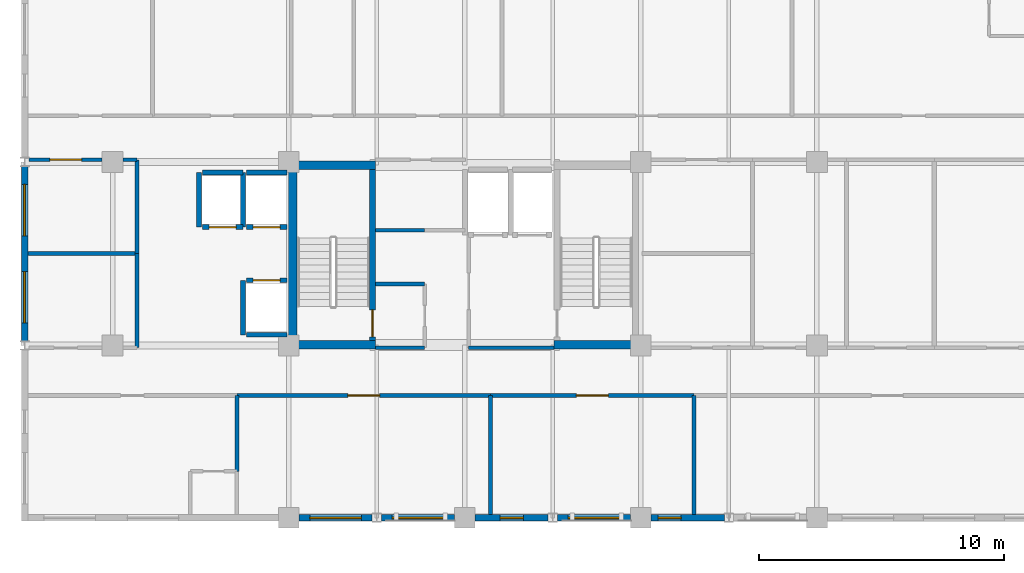
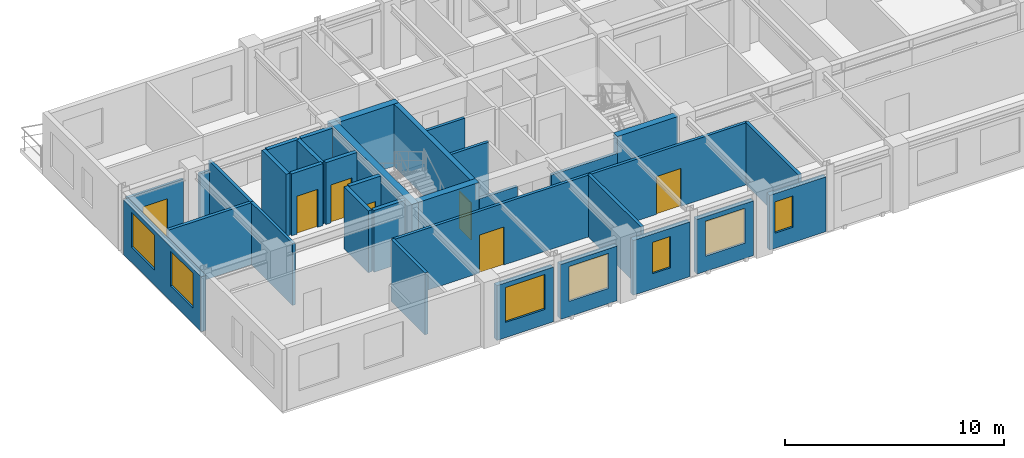
# One storey, part 6 of 11: 34 walls, 7 doors, 7 windows, 14 openings.
"""IFC4 building model written with IfcOpenShell, lengths in metres."""

from ifc_helpers import new_model, si_unit, direction, frame, frame_2d, origin, place, context, subcontext, project, spatial, rectangle, extrude, material, layer, layer_set, type_object, element, fill, save


model = new_model("IFC4")

# Units and contexts
model_context = context("Model", 3, precision=1e-05, world=origin(), true_north=direction((0.0, 1.0)))
body_context = subcontext(model_context, "Body", "Model", "MODEL_VIEW")
ifc_project = project(units=[si_unit("LENGTHUNIT", "METRE"), si_unit("AREAUNIT", "SQUARE_METRE"), si_unit("VOLUMEUNIT", "CUBIC_METRE"), si_unit("PLANEANGLEUNIT", "RADIAN"), si_unit("MASSUNIT", "GRAM", prefix="KILO")], contexts=[model_context])

# Site, building, storey
site_placement = place(None, origin())
site = spatial("IfcSite", under=ifc_project, at=site_placement, CompositionType="ELEMENT")
building_placement = place(site_placement, origin())
building = spatial("IfcBuilding", under=site, at=building_placement, Name="Kaliganga Portal Commons", CompositionType="ELEMENT")
storey_placement = place(building_placement, frame((0.0, 0.0, 257.300048828125)))
storey = spatial("IfcBuildingStorey", under=building, at=storey_placement, Name="L66", CompositionType="ELEMENT", Elevation=257.300048828125)

# Walls
ifc_material_1 = material(Name="Concrete C50/60", Category="concrete")
ifc_layer_1 = layer(ifc_material_1, 0.35009765625)
ifc_layer_set_1 = layer_set([ifc_layer_1], Name="Concrete C50/60")
wall_type_1 = type_object("IfcWallType", Name="WL-CORE-350", PredefinedType="SHEAR", material=ifc_layer_set_1)
wall_1_placement = place(storey_placement, frame((14.574951171875, 28.5, 0.0), z_axis=(0.0, 0.0, 1.0), x_axis=(0.0, 1.0, 0.0)))
element("IfcWall", 1, at=wall_1_placement, inside=storey, type_object=wall_type_1, Name="Core A West Shear Wall L66", PredefinedType="SHEAR", context=body_context, shape_type="SweptSolid", body=[
    extrude(rectangle(XDim=7.699951171875, YDim=0.35009765625, at=frame_2d((3.85009765625, 0.0))), origin(), (0.0, 0.0, 1.0), 3.474853515625),
])
for number, where, z_axis, x_axis, name in (
    (2, (14.75, 28.675048828125, 0.0), (0.0, 0.0, 1.0), (1.0, 0.0, 0.0), "Core A S-West Shear Wall L66"),
    (3, (25.25, 28.675048828125, 0.0), (0.0, 0.0, 1.0), (1.0, 0.0, 0.0), "Core A S-East Shear Wall L66"),
    (4, (14.75, 36.02490234375, 0.0), (0.0, 0.0, 1.0), (1.0, 0.0, 0.0), "Core A N-West Shear Wall L66"),
):
    element("IfcWall", number, at=place(storey_placement, frame(where, z_axis=z_axis, x_axis=x_axis)), inside=storey, type_object=wall_type_1, Name=name, PredefinedType="SHEAR", context=body_context, shape_type="SweptSolid", body=[
        extrude(rectangle(XDim=3.199951171875, YDim=0.35009765625, at=frame_2d((1.60009765625, 0.0))), origin(), (0.0, 0.0, 1.0), 3.474853515625),
    ])

# Wall, opening, window
ifc_material_2 = material(Name="Insulated Aluminium-Clad Spandrel Assembly", Category="aluminium")
ifc_layer_2 = layer(ifc_material_2, 0.260009765625)
ifc_layer_set_2 = layer_set([ifc_layer_2], Name="Insulated Aluminium-Clad Spandrel Assembly")
wall_type_2 = type_object("IfcWallType", Name="WL-EXT-SPAND-260", PredefinedType="STANDARD", material=ifc_layer_set_2)
wall_2_placement = place(storey_placement, frame((17.81201171875, 21.60009765625, 0.0), z_axis=(0.0, 0.0, 1.0), x_axis=(-1.0, 0.0, 0.0)))
wall_2 = element("IfcWall", 5, at=wall_2_placement, inside=storey, type_object=wall_type_2, Name="Exterior Envelope Wall L66 P1-E00-S2", PredefinedType="STANDARD", context=body_context, shape_type="SweptSolid", body=[
    extrude(rectangle(XDim=2.986083984375, YDim=0.260009765625, at=frame_2d((1.4931640625, 0.0))), origin(), (0.0, 0.0, 1.0), 3.054931640625),
])
opening_1_placement = place(wall_2_placement, frame((0.443115234375, 0.0, 0.85009765625)))
opening_1 = element("IfcOpeningElement", 6, at=opening_1_placement, cuts=wall_2, Name="Opening W-06", PredefinedType="OPENING", context=body_context, shape_type="SweptSolid", body=[
    extrude(rectangle(XDim=2.10009765625, YDim=1.949951171875, at=frame_2d((1.050048828125, 0.97509765625))), frame((0.0, 0.14013671875, 0.0), z_axis=(0.0, -1.0, 0.0), x_axis=(1.0, 0.0, 0.0)), (0.0, 0.0, 1.0), 0.280029296875),
])
ifc_material_3 = material(Name="Thermally Broken Aluminium and Low-E Double Glazing", Category="aluminium")
window_type_1 = type_object("IfcWindowType", Name="WIN-PAN-2100", PartitioningType="DOUBLE_PANEL_VERTICAL", PredefinedType="WINDOW", material=ifc_material_3)
window_1_placement = place(opening_1_placement, origin())
window_1 = element("IfcWindow", 7, at=window_1_placement, inside=storey, type_object=window_type_1, Name="Facade Window L66-P1E00S2-00", OverallHeight=1.949951171875, OverallWidth=2.10009765625, PartitioningType="SINGLE_PANEL", PredefinedType="WINDOW", context=body_context, shape_type="SweptSolid", body=[
    extrude(rectangle(XDim=2.10009765625, YDim=1.949951171875, at=frame_2d((1.050048828125, 0.97509765625))), frame((0.0, 0.030029296875, 0.0), z_axis=(0.0, -1.0, 0.0), x_axis=(1.0, 0.0, 0.0)), (0.0, 0.0, 1.0), 0.06005859375),
])
fill(opening_1, window_1)

wall_3_placement = place(storey_placement, frame((21.174072265625, 21.60009765625, 0.0), z_axis=(0.0, 0.0, 1.0), x_axis=(-1.0, 0.0, 0.0)))
wall_3 = element("IfcWall", 8, at=wall_3_placement, inside=storey, type_object=wall_type_2, Name="Exterior Envelope Wall L66 P1-E00-S3", PredefinedType="STANDARD", context=body_context, shape_type="SweptSolid", body=[
    extrude(rectangle(XDim=2.986083984375, YDim=0.260009765625, at=frame_2d((1.4931640625, 0.0))), origin(), (0.0, 0.0, 1.0), 3.054931640625),
])
opening_2_placement = place(wall_3_placement, frame((0.443115234375, 0.0, 0.85009765625)))
opening_2 = element("IfcOpeningElement", 9, at=opening_2_placement, cuts=wall_3, Name="Opening W-06", PredefinedType="OPENING", context=body_context, shape_type="SweptSolid", body=[
    extrude(rectangle(XDim=2.10009765625, YDim=1.949951171875, at=frame_2d((1.050048828125, 0.97509765625))), frame((0.0, 0.14013671875, 0.0), z_axis=(0.0, -1.0, 0.0), x_axis=(1.0, 0.0, 0.0)), (0.0, 0.0, 1.0), 0.280029296875),
])
window_2_placement = place(opening_2_placement, origin())
window_2 = element("IfcWindow", 10, at=window_2_placement, inside=storey, type_object=window_type_1, Name="Facade Window L66-P1E00S3-00", OverallHeight=1.949951171875, OverallWidth=2.10009765625, PartitioningType="SINGLE_PANEL", PredefinedType="WINDOW", context=body_context, shape_type="SweptSolid", body=[
    extrude(rectangle(XDim=2.10009765625, YDim=1.949951171875, at=frame_2d((1.050048828125, 0.97509765625))), frame((0.0, 0.030029296875, 0.0), z_axis=(0.0, -1.0, 0.0), x_axis=(1.0, 0.0, 0.0)), (0.0, 0.0, 1.0), 0.06005859375),
])
fill(opening_2, window_2)

wall_4_placement = place(storey_placement, frame((25.011962890625, 21.60009765625, 0.0), z_axis=(0.0, 0.0, 1.0), x_axis=(-1.0, 0.0, 0.0)))
wall_4 = element("IfcWall", 11, at=wall_4_placement, inside=storey, type_object=wall_type_2, Name="Exterior Envelope Wall L66 P1-E00-S4", PredefinedType="STANDARD", context=body_context, shape_type="SweptSolid", body=[
    extrude(rectangle(XDim=2.986083984375, YDim=0.260009765625, at=frame_2d((1.4931640625, 0.0))), origin(), (0.0, 0.0, 1.0), 3.054931640625),
])
opening_3_placement = place(wall_4_placement, frame((1.01806640625, 0.0, 0.85009765625)))
opening_3 = element("IfcOpeningElement", 12, at=opening_3_placement, cuts=wall_4, Name="Opening W-04", PredefinedType="OPENING", context=body_context, shape_type="SweptSolid", body=[
    extrude(rectangle(XDim=0.949951171875, YDim=1.75, at=frame_2d((0.47509765625, 0.875))), frame((0.0, 0.14013671875, 0.0), z_axis=(0.0, -1.0, 0.0), x_axis=(1.0, 0.0, 0.0)), (0.0, 0.0, 1.0), 0.280029296875),
])
window_type_2 = type_object("IfcWindowType", Name="WIN-NARROW-950", PartitioningType="SINGLE_PANEL", PredefinedType="WINDOW", material=ifc_material_3)
window_3_placement = place(opening_3_placement, origin())
window_3 = element("IfcWindow", 13, at=window_3_placement, inside=storey, type_object=window_type_2, Name="Facade Window L66-P1E00S4-N0", OverallHeight=1.75, OverallWidth=0.949951171875, PartitioningType="SINGLE_PANEL", PredefinedType="WINDOW", context=body_context, shape_type="SweptSolid", body=[
    extrude(rectangle(XDim=0.949951171875, YDim=1.75, at=frame_2d((0.47509765625, 0.875))), frame((0.0, 0.030029296875, 0.0), z_axis=(0.0, -1.0, 0.0), x_axis=(1.0, 0.0, 0.0)), (0.0, 0.0, 1.0), 0.06005859375),
])
fill(opening_3, window_3)

wall_5_placement = place(storey_placement, frame((28.3740234375, 21.60009765625, 0.0), z_axis=(0.0, 0.0, 1.0), x_axis=(-1.0, 0.0, 0.0)))
wall_5 = element("IfcWall", 14, at=wall_5_placement, inside=storey, type_object=wall_type_2, Name="Exterior Envelope Wall L66 P1-E00-S5", PredefinedType="STANDARD", context=body_context, shape_type="SweptSolid", body=[
    extrude(rectangle(XDim=2.986083984375, YDim=0.260009765625, at=frame_2d((1.4931640625, 0.0))), origin(), (0.0, 0.0, 1.0), 3.054931640625),
])
opening_4_placement = place(wall_5_placement, frame((0.443115234375, 0.0, 0.85009765625)))
opening_4 = element("IfcOpeningElement", 15, at=opening_4_placement, cuts=wall_5, Name="Opening W-06", PredefinedType="OPENING", context=body_context, shape_type="SweptSolid", body=[
    extrude(rectangle(XDim=2.10009765625, YDim=1.949951171875, at=frame_2d((1.050048828125, 0.97509765625))), frame((0.0, 0.14013671875, 0.0), z_axis=(0.0, -1.0, 0.0), x_axis=(1.0, 0.0, 0.0)), (0.0, 0.0, 1.0), 0.280029296875),
])
window_4_placement = place(opening_4_placement, origin())
window_4 = element("IfcWindow", 16, at=window_4_placement, inside=storey, type_object=window_type_1, Name="Facade Window L66-P1E00S5-00", OverallHeight=1.949951171875, OverallWidth=2.10009765625, PartitioningType="SINGLE_PANEL", PredefinedType="WINDOW", context=body_context, shape_type="SweptSolid", body=[
    extrude(rectangle(XDim=2.10009765625, YDim=1.949951171875, at=frame_2d((1.050048828125, 0.97509765625))), frame((0.0, 0.030029296875, 0.0), z_axis=(0.0, -1.0, 0.0), x_axis=(1.0, 0.0, 0.0)), (0.0, 0.0, 1.0), 0.06005859375),
])
fill(opening_4, window_4)

wall_6_placement = place(storey_placement, frame((32.2119140625, 21.60009765625, 0.0), z_axis=(0.0, 0.0, 1.0), x_axis=(-1.0, 0.0, 0.0)))
wall_6 = element("IfcWall", 17, at=wall_6_placement, inside=storey, type_object=wall_type_2, Name="Exterior Envelope Wall L66 P1-E00-S6", PredefinedType="STANDARD", context=body_context, shape_type="SweptSolid", body=[
    extrude(rectangle(XDim=2.98583984375, YDim=0.260009765625, at=frame_2d((1.492919921875, 0.0))), origin(), (0.0, 0.0, 1.0), 3.054931640625),
])
opening_5_placement = place(wall_6_placement, frame((1.758544921875, 0.0, 0.85009765625)))
opening_5 = element("IfcOpeningElement", 18, at=opening_5_placement, cuts=wall_6, Name="Opening W-04", PredefinedType="OPENING", context=body_context, shape_type="SweptSolid", body=[
    extrude(rectangle(XDim=0.949951171875, YDim=1.75, at=frame_2d((0.47509765625, 0.875))), frame((0.0, 0.14013671875, 0.0), z_axis=(0.0, -1.0, 0.0), x_axis=(1.0, 0.0, 0.0)), (0.0, 0.0, 1.0), 0.280029296875),
])
window_5_placement = place(opening_5_placement, origin())
window_5 = element("IfcWindow", 19, at=window_5_placement, inside=storey, type_object=window_type_2, Name="Facade Window L66-P1E00S6-N2", OverallHeight=1.75, OverallWidth=0.949951171875, PartitioningType="SINGLE_PANEL", PredefinedType="WINDOW", context=body_context, shape_type="SweptSolid", body=[
    extrude(rectangle(XDim=0.949951171875, YDim=1.75, at=frame_2d((0.47509765625, 0.875))), frame((0.0, 0.030029296875, 0.0), z_axis=(0.0, -1.0, 0.0), x_axis=(1.0, 0.0, 0.0)), (0.0, 0.0, 1.0), 0.06005859375),
])
fill(opening_5, window_5)

# Wall, openings, windows
wall_7_placement = place(storey_placement, frame((3.60009765625, 28.8369140625, 0.0), z_axis=(0.0, 0.0, 1.0), x_axis=(0.0, 1.0, 0.0)))
wall_7 = element("IfcWall", 20, at=wall_7_placement, inside=storey, type_object=wall_type_2, Name="Exterior Envelope Wall L66 P1-E03-S2", PredefinedType="STANDARD", context=body_context, shape_type="SweptSolid", body=[
    extrude(rectangle(XDim=7.1259765625, YDim=0.260009765625, at=frame_2d((3.56298828125, 0.0))), origin(), (0.0, 0.0, 1.0), 3.054931640625),
])
opening_6_placement = place(wall_7_placement, frame((0.7314453125, 0.0, 0.85009765625)))
opening_6 = element("IfcOpeningElement", 21, at=opening_6_placement, cuts=wall_7, Name="Opening W-06", PredefinedType="OPENING", context=body_context, shape_type="SweptSolid", body=[
    extrude(rectangle(XDim=2.10009765625, YDim=1.949951171875, at=frame_2d((1.050048828125, 0.97509765625))), frame((0.0, 0.14013671875, 0.0), z_axis=(0.0, -1.0, 0.0), x_axis=(1.0, 0.0, 0.0)), (0.0, 0.0, 1.0), 0.280029296875),
])
opening_7_placement = place(wall_7_placement, frame((4.29443359375, 0.0, 0.85009765625)))
opening_7 = element("IfcOpeningElement", 22, at=opening_7_placement, cuts=wall_7, Name="Opening W-06", PredefinedType="OPENING", context=body_context, shape_type="SweptSolid", body=[
    extrude(rectangle(XDim=2.10009765625, YDim=1.949951171875, at=frame_2d((1.050048828125, 0.97509765625))), frame((0.0, 0.14013671875, 0.0), z_axis=(0.0, -1.0, 0.0), x_axis=(1.0, 0.0, 0.0)), (0.0, 0.0, 1.0), 0.280029296875),
])
window_6_placement = place(opening_6_placement, origin())
window_6 = element("IfcWindow", 23, at=window_6_placement, inside=storey, type_object=window_type_1, Name="Facade Window L66-P1E03S2-00", OverallHeight=1.949951171875, OverallWidth=2.10009765625, PartitioningType="SINGLE_PANEL", PredefinedType="WINDOW", context=body_context, shape_type="SweptSolid", body=[
    extrude(rectangle(XDim=2.10009765625, YDim=1.949951171875, at=frame_2d((1.050048828125, 0.97509765625))), frame((0.0, 0.030029296875, 0.0), z_axis=(0.0, -1.0, 0.0), x_axis=(1.0, 0.0, 0.0)), (0.0, 0.0, 1.0), 0.06005859375),
])
fill(opening_6, window_6)
window_7_placement = place(opening_7_placement, origin())
window_7 = element("IfcWindow", 24, at=window_7_placement, inside=storey, type_object=window_type_1, Name="Facade Window L66-P1E03S2-01", OverallHeight=1.949951171875, OverallWidth=2.10009765625, PartitioningType="SINGLE_PANEL", PredefinedType="WINDOW", context=body_context, shape_type="SweptSolid", body=[
    extrude(rectangle(XDim=2.10009765625, YDim=1.949951171875, at=frame_2d((1.050048828125, 0.97509765625))), frame((0.0, 0.030029296875, 0.0), z_axis=(0.0, -1.0, 0.0), x_axis=(1.0, 0.0, 0.0)), (0.0, 0.0, 1.0), 0.06005859375),
])
fill(opening_7, window_7)

# Wall, opening, door
ifc_material_4 = material(Name="Fire-Rated Gypsum Board on Steel Stud", Category="steel")
ifc_layer_3 = layer(ifc_material_4, 0.14990234375)
ifc_layer_set_3 = layer_set([ifc_layer_3], Name="Fire-Rated Gypsum Board on Steel Stud")
wall_type_3 = type_object("IfcWallType", Name="WL-PART-CORR-150", PredefinedType="PARTITIONING", material=ifc_layer_set_3)
wall_8_placement = place(storey_placement, frame((12.280029296875, 26.60009765625, 0.0), z_axis=(0.0, 0.0, 1.0), x_axis=(1.0, 0.0, 0.0)))
wall_8 = element("IfcWall", 25, at=wall_8_placement, inside=storey, type_object=wall_type_3, Name="Interior Partition L66-009", PredefinedType="PARTITIONING", context=body_context, shape_type="SweptSolid", body=[
    extrude(rectangle(XDim=10.3798828125, YDim=0.14990234375, at=frame_2d((5.18994140625, 0.0))), origin(), (0.0, 0.0, 1.0), 3.454833984375),
])
opening_8_placement = place(wall_8_placement, frame((4.5400390625, 0.0, 0.0)))
opening_8 = element("IfcOpeningElement", 26, at=opening_8_placement, cuts=wall_8, Name="Opening RD-03", PredefinedType="OPENING", context=body_context, shape_type="SweptSolid", body=[
    extrude(rectangle(XDim=1.300048828125, YDim=2.1201171875, at=frame_2d((0.64990234375, 1.06005859375))), frame((0.0, 0.0849609375, 0.0), z_axis=(0.0, -1.0, 0.0), x_axis=(1.0, 0.0, 0.0)), (0.0, 0.0, 1.0), 0.169921875),
])
ifc_material_5 = material(Name="Glazed Timber Seminar Vision Door", Category="wood")
door_type_1 = type_object("IfcDoorType", Name="DR-STUDY-1300", OperationType="DOUBLE_DOOR_SINGLE_SWING", PredefinedType="DOOR", material=ifc_material_5)
door_1_placement = place(opening_8_placement, origin())
door_1 = element("IfcDoor", 27, at=door_1_placement, inside=storey, type_object=door_type_1, Name="Interior Door L66-AS02", OperationType="DOUBLE_DOOR_SINGLE_SWING", OverallHeight=2.1201171875, OverallWidth=1.300048828125, PredefinedType="DOOR", context=body_context, shape_type="SweptSolid", body=[
    extrude(rectangle(XDim=1.300048828125, YDim=2.1201171875, at=frame_2d((0.64990234375, 1.06005859375))), frame((0.0, 0.02490234375, 0.0), z_axis=(0.0, -1.0, 0.0), x_axis=(1.0, 0.0, 0.0)), (0.0, 0.0, 1.0), 0.050048828125),
])
fill(opening_8, door_1)

wall_9_placement = place(storey_placement, frame((22.659912109375, 26.60009765625, 0.0), z_axis=(0.0, 0.0, 1.0), x_axis=(1.0, 0.0, 0.0)))
wall_9 = element("IfcWall", 28, at=wall_9_placement, inside=storey, type_object=wall_type_3, Name="Interior Partition L66-012", PredefinedType="PARTITIONING", context=body_context, shape_type="SweptSolid", body=[
    extrude(rectangle(XDim=8.320068359375, YDim=0.14990234375, at=frame_2d((4.16015625, 0.0))), origin(), (0.0, 0.0, 1.0), 3.454833984375),
])
opening_9_placement = place(wall_9_placement, frame((3.510009765625, 0.0, 0.0)))
opening_9 = element("IfcOpeningElement", 29, at=opening_9_placement, cuts=wall_9, Name="Opening RD-03", PredefinedType="OPENING", context=body_context, shape_type="SweptSolid", body=[
    extrude(rectangle(XDim=1.300048828125, YDim=2.1201171875, at=frame_2d((0.64990234375, 1.06005859375))), frame((0.0, 0.0849609375, 0.0), z_axis=(0.0, -1.0, 0.0), x_axis=(1.0, 0.0, 0.0)), (0.0, 0.0, 1.0), 0.169921875),
])
door_2_placement = place(opening_9_placement, origin())
door_2 = element("IfcDoor", 30, at=door_2_placement, inside=storey, type_object=door_type_1, Name="Interior Door L66-AS03", OperationType="DOUBLE_DOOR_SINGLE_SWING", OverallHeight=2.1201171875, OverallWidth=1.300048828125, PredefinedType="DOOR", context=body_context, shape_type="SweptSolid", body=[
    extrude(rectangle(XDim=1.300048828125, YDim=2.1201171875, at=frame_2d((0.64990234375, 1.06005859375))), frame((0.0, 0.02490234375, 0.0), z_axis=(0.0, -1.0, 0.0), x_axis=(1.0, 0.0, 0.0)), (0.0, 0.0, 1.0), 0.050048828125),
])
fill(opening_9, door_2)

wall_10_placement = place(storey_placement, frame((3.787109375, 36.239990234375, 0.0), z_axis=(0.0, 0.0, 1.0), x_axis=(1.0, 0.0, 0.0)))
wall_10 = element("IfcWall", 31, at=wall_10_placement, inside=storey, type_object=wall_type_3, Name="Interior Partition L66-020", PredefinedType="PARTITIONING", context=body_context, shape_type="SweptSolid", body=[
    extrude(rectangle(XDim=2.98779296875, YDim=0.14990234375, at=frame_2d((1.493896484375, 0.0))), origin(), (0.0, 0.0, 1.0), 2.905029296875),
])
opening_10_placement = place(wall_10_placement, frame((0.843994140625, 0.0, 0.0)))
opening_10 = element("IfcOpeningElement", 32, at=opening_10_placement, cuts=wall_10, Name="Opening RD-03", PredefinedType="OPENING", context=body_context, shape_type="SweptSolid", body=[
    extrude(rectangle(XDim=1.300048828125, YDim=2.1201171875, at=frame_2d((0.64990234375, 1.06005859375))), frame((0.0, 0.0849609375, 0.0), z_axis=(0.0, -1.0, 0.0), x_axis=(1.0, 0.0, 0.0)), (0.0, 0.0, 1.0), 0.169921875),
])
door_3_placement = place(opening_10_placement, origin())
door_3 = element("IfcDoor", 33, at=door_3_placement, inside=storey, type_object=door_type_1, Name="Interior Door L66-AW02", OperationType="DOUBLE_DOOR_SINGLE_SWING", OverallHeight=2.1201171875, OverallWidth=1.300048828125, PredefinedType="DOOR", context=body_context, shape_type="SweptSolid", body=[
    extrude(rectangle(XDim=1.300048828125, YDim=2.1201171875, at=frame_2d((0.64990234375, 1.06005859375))), frame((0.0, 0.02490234375, 0.0), z_axis=(0.0, -1.0, 0.0), x_axis=(1.0, 0.0, 0.0)), (0.0, 0.0, 1.0), 0.050048828125),
])
fill(opening_10, door_3)

# Walls
wall_11_placement = place(storey_placement, frame((7.625, 36.239990234375, 0.0), z_axis=(0.0, 0.0, 1.0), x_axis=(1.0, 0.0, 0.0)))
element("IfcWall", 34, at=wall_11_placement, inside=storey, type_object=wall_type_3, Name="Interior Partition L66-021", PredefinedType="PARTITIONING", context=body_context, shape_type="SweptSolid", body=[
    extrude(rectangle(XDim=0.574951171875, YDim=0.14990234375, at=frame_2d((0.28759765625, 0.0))), origin(), (0.0, 0.0, 1.0), 2.905029296875),
])
wall_12_placement = place(storey_placement, frame((8.199951171875, 32.39990234375, 0.0), z_axis=(0.0, 0.0, 1.0), x_axis=(0.0, 1.0, 0.0)))
element("IfcWall", 35, at=wall_12_placement, inside=storey, type_object=wall_type_3, Name="Interior Partition L66-028", PredefinedType="PARTITIONING", context=body_context, shape_type="SweptSolid", body=[
    extrude(rectangle(XDim=3.840087890625, YDim=0.14990234375, at=frame_2d((1.919921875, 0.0))), origin(), (0.0, 0.0, 1.0), 3.454833984375),
])
wall_13_placement = place(storey_placement, frame((8.199951171875, 28.56005859375, 0.0), z_axis=(0.0, 0.0, 1.0), x_axis=(0.0, 1.0, 0.0)))
element("IfcWall", 36, at=wall_13_placement, inside=storey, type_object=wall_type_3, Name="Interior Partition L66-029", PredefinedType="PARTITIONING", context=body_context, shape_type="SweptSolid", body=[
    extrude(rectangle(XDim=3.83984375, YDim=0.14990234375, at=frame_2d((1.919921875, 0.0))), origin(), (0.0, 0.0, 1.0), 3.454833984375),
])
wall_14_placement = place(storey_placement, frame((17.9599609375, 28.56005859375, 0.0), z_axis=(0.0, 0.0, 1.0), x_axis=(1.0, 0.0, 0.0)))
element("IfcWall", 37, at=wall_14_placement, inside=storey, type_object=wall_type_3, Name="Interior Partition L66-035", PredefinedType="PARTITIONING", context=body_context, shape_type="SweptSolid", body=[
    extrude(rectangle(XDim=2.0, YDim=0.14990234375, at=frame_2d((1.0, 0.0))), origin(), (0.0, 0.0, 1.0), 2.554931640625),
])
for number, where, z_axis, x_axis, name in (
    (38, (17.9599609375, 31.159912109375, 0.0), (0.0, 0.0, 1.0), (1.0, 0.0, 0.0), "Interior Partition L66-036"),
    (39, (17.9599609375, 33.360107421875, 0.0), (0.0, 0.0, 1.0), (1.0, 0.0, 0.0), "Interior Partition L66-037"),
):
    element("IfcWall", number, at=place(storey_placement, frame(where, z_axis=z_axis, x_axis=x_axis)), inside=storey, type_object=wall_type_3, Name=name, PredefinedType="PARTITIONING", context=body_context, shape_type="SweptSolid", body=[
        extrude(rectangle(XDim=2.0, YDim=0.14990234375, at=frame_2d((1.0, 0.0))), origin(), (0.0, 0.0, 1.0), 3.454833984375),
    ])
wall_15_placement = place(storey_placement, frame((21.760009765625, 28.56005859375, 0.0), z_axis=(0.0, 0.0, 1.0), x_axis=(1.0, 0.0, 0.0)))
element("IfcWall", 40, at=wall_15_placement, inside=storey, type_object=wall_type_3, Name="Interior Partition L66-054", PredefinedType="PARTITIONING", context=body_context, shape_type="SweptSolid", body=[
    extrude(rectangle(XDim=3.47998046875, YDim=0.14990234375, at=frame_2d((1.739990234375, 0.0))), origin(), (0.0, 0.0, 1.0), 2.554931640625),
])
ifc_material_6 = material(Name="Twin-Stud Acoustic Gypsum Partition", Category="gypsum")
ifc_layer_4 = layer(ifc_material_6, 0.1650390625)
ifc_layer_set_4 = layer_set([ifc_layer_4], Name="Twin-Stud Acoustic Gypsum Partition")
wall_type_4 = type_object("IfcWallType", Name="WL-PART-UNIT-165", PredefinedType="PARTITIONING", material=ifc_layer_set_4)
for number, where, z_axis, x_axis, name in (
    (41, (22.659912109375, 21.73193359375, 0.0), (0.0, 0.0, 1.0), (0.0, 1.0, 0.0), "Interior Partition L66-047"),
    (42, (30.97998046875, 21.73193359375, 0.0), (0.0, 0.0, 1.0), (0.0, 1.0, 0.0), "Interior Partition L66-048"),
):
    element("IfcWall", number, at=place(storey_placement, frame(where, z_axis=z_axis, x_axis=x_axis)), inside=storey, type_object=wall_type_4, Name=name, PredefinedType="PARTITIONING", context=body_context, shape_type="SweptSolid", body=[
        extrude(rectangle(XDim=4.8681640625, YDim=0.1650390625, at=frame_2d((2.43408203125, 0.0))), origin(), (0.0, 0.0, 1.0), 3.454833984375),
    ])
wall_16_placement = place(storey_placement, frame((3.73193359375, 32.39990234375, 0.0), z_axis=(0.0, 0.0, 1.0), x_axis=(1.0, 0.0, 0.0)))
element("IfcWall", 43, at=wall_16_placement, inside=storey, type_object=wall_type_4, Name="Interior Partition L66-049", PredefinedType="PARTITIONING", context=body_context, shape_type="SweptSolid", body=[
    extrude(rectangle(XDim=4.468017578125, YDim=0.1650390625, at=frame_2d((2.23388671875, 0.0))), origin(), (0.0, 0.0, 1.0), 3.454833984375),
])
wall_17_placement = place(storey_placement, frame((12.280029296875, 23.5, 0.0), z_axis=(0.0, 0.0, 1.0), x_axis=(0.0, 1.0, 0.0)))
element("IfcWall", 44, at=wall_17_placement, inside=storey, type_object=wall_type_4, Name="Interior Partition L66-056", PredefinedType="PARTITIONING", context=body_context, shape_type="SweptSolid", body=[
    extrude(rectangle(XDim=3.10009765625, YDim=0.1650390625, at=frame_2d((1.550048828125, 0.0))), origin(), (0.0, 0.0, 1.0), 3.454833984375),
])

# Wall, opening, door
ifc_material_7 = material(Name="Fire-Rated Shaftwall Masonry Assembly", Category="masonry")
ifc_layer_5 = layer(ifc_material_7, 0.199951171875)
ifc_layer_set_5 = layer_set([ifc_layer_5], Name="Fire-Rated Shaftwall Masonry Assembly")
wall_type_5 = type_object("IfcWallType", Name="WL-SHAFT-200", PredefinedType="PARTITIONING", material=ifc_layer_set_5)
wall_18_placement = place(storey_placement, frame((12.675048828125, 33.485107421875, 0.0), z_axis=(0.0, 0.0, 1.0), x_axis=(1.0, 0.0, 0.0)))
wall_18 = element("IfcWall", 45, at=wall_18_placement, inside=storey, type_object=wall_type_5, Name="Lift PL-A3 Hoistway Shaft Wall L66-S", PredefinedType="PARTITIONING", context=body_context, shape_type="SweptSolid", body=[
    extrude(rectangle(XDim=1.64990234375, YDim=0.199951171875, at=frame_2d((0.824951171875, 0.0))), origin(), (0.0, 0.0, 1.0), 3.454833984375),
])
opening_11_placement = place(wall_18_placement, frame((0.27490234375, 0.0, 0.0)))
opening_11 = element("IfcOpeningElement", 46, at=opening_11_placement, cuts=wall_18, Name="Opening LD-01", PredefinedType="OPENING", context=body_context, shape_type="SweptSolid", body=[
    extrude(rectangle(XDim=1.10009765625, YDim=2.1201171875, at=frame_2d((0.550048828125, 1.06005859375))), frame((0.0, 0.10986328125, 0.0), z_axis=(0.0, -1.0, 0.0), x_axis=(1.0, 0.0, 0.0)), (0.0, 0.0, 1.0), 0.219970703125),
])
ifc_material_8 = material(Name="Brushed Stainless Steel 316 Lift Landing Door", Category="steel")
door_type_2 = type_object("IfcDoorType", Name="DR-LIFT-1100", OperationType="SLIDING_TO_LEFT", PredefinedType="DOOR", material=ifc_material_8)
door_4_placement = place(opening_11_placement, origin())
door_4 = element("IfcDoor", 47, at=door_4_placement, inside=storey, type_object=door_type_2, Name="Lift PL-A3 Sliding Landing Door L66", OperationType="SLIDING_TO_LEFT", OverallHeight=2.1201171875, OverallWidth=1.10009765625, PredefinedType="DOOR", context=body_context, shape_type="SweptSolid", body=[
    extrude(rectangle(XDim=1.10009765625, YDim=2.1201171875, at=frame_2d((0.550048828125, 1.06005859375))), frame((0.0, 0.02490234375, 0.0), z_axis=(0.0, -1.0, 0.0), x_axis=(1.0, 0.0, 0.0)), (0.0, 0.0, 1.0), 0.050048828125),
])
fill(opening_11, door_4)

# Walls
wall_19_placement = place(storey_placement, frame((12.675048828125, 35.715087890625, 0.0), z_axis=(0.0, 0.0, 1.0), x_axis=(1.0, 0.0, 0.0)))
element("IfcWall", 48, at=wall_19_placement, inside=storey, type_object=wall_type_5, Name="Lift PL-A3 Hoistway Shaft Wall L66-N", PredefinedType="PARTITIONING", context=body_context, shape_type="SweptSolid", body=[
    extrude(rectangle(XDim=1.64990234375, YDim=0.199951171875, at=frame_2d((0.824951171875, 0.0))), origin(), (0.0, 0.0, 1.0), 3.454833984375),
])
wall_20_placement = place(storey_placement, frame((12.534912109375, 33.485107421875, 0.0), z_axis=(0.0, 0.0, 1.0), x_axis=(0.0, 1.0, 0.0)))
element("IfcWall", 49, at=wall_20_placement, inside=storey, type_object=wall_type_5, Name="Lift PL-A3 Hoistway Shaft Wall L66-W", PredefinedType="PARTITIONING", context=body_context, shape_type="SweptSolid", body=[
    extrude(rectangle(XDim=2.22998046875, YDim=0.199951171875, at=frame_2d((1.114990234375, 0.0))), origin(), (0.0, 0.0, 1.0), 3.454833984375),
])
wall_21_placement = place(storey_placement, frame((12.675048828125, 29.0849609375, 0.0), z_axis=(0.0, 0.0, 1.0), x_axis=(1.0, 0.0, 0.0)))
element("IfcWall", 50, at=wall_21_placement, inside=storey, type_object=wall_type_5, Name="Lift PL-A4 Hoistway Shaft Wall L66-S", PredefinedType="PARTITIONING", context=body_context, shape_type="SweptSolid", body=[
    extrude(rectangle(XDim=1.64990234375, YDim=0.199951171875, at=frame_2d((0.824951171875, 0.0))), origin(), (0.0, 0.0, 1.0), 3.454833984375),
])

# Wall, opening, door
wall_22_placement = place(storey_placement, frame((12.675048828125, 31.31494140625, 0.0), z_axis=(0.0, 0.0, 1.0), x_axis=(1.0, 0.0, 0.0)))
wall_22 = element("IfcWall", 51, at=wall_22_placement, inside=storey, type_object=wall_type_5, Name="Lift PL-A4 Hoistway Shaft Wall L66-N", PredefinedType="PARTITIONING", context=body_context, shape_type="SweptSolid", body=[
    extrude(rectangle(XDim=1.64990234375, YDim=0.199951171875, at=frame_2d((0.824951171875, 0.0))), origin(), (0.0, 0.0, 1.0), 3.454833984375),
])
opening_12_placement = place(wall_22_placement, frame((0.27490234375, 0.0, 0.0)))
opening_12 = element("IfcOpeningElement", 52, at=opening_12_placement, cuts=wall_22, Name="Opening LD-01", PredefinedType="OPENING", context=body_context, shape_type="SweptSolid", body=[
    extrude(rectangle(XDim=1.10009765625, YDim=2.1201171875, at=frame_2d((0.550048828125, 1.06005859375))), frame((0.0, 0.10986328125, 0.0), z_axis=(0.0, -1.0, 0.0), x_axis=(1.0, 0.0, 0.0)), (0.0, 0.0, 1.0), 0.219970703125),
])
door_5_placement = place(opening_12_placement, origin())
door_5 = element("IfcDoor", 53, at=door_5_placement, inside=storey, type_object=door_type_2, Name="Lift PL-A4 Sliding Landing Door L66", OperationType="SLIDING_TO_LEFT", OverallHeight=2.1201171875, OverallWidth=1.10009765625, PredefinedType="DOOR", context=body_context, shape_type="SweptSolid", body=[
    extrude(rectangle(XDim=1.10009765625, YDim=2.1201171875, at=frame_2d((0.550048828125, 1.06005859375))), frame((0.0, 0.02490234375, 0.0), z_axis=(0.0, -1.0, 0.0), x_axis=(1.0, 0.0, 0.0)), (0.0, 0.0, 1.0), 0.050048828125),
])
fill(opening_12, door_5)

# Wall
wall_23_placement = place(storey_placement, frame((12.534912109375, 29.0849609375, 0.0), z_axis=(0.0, 0.0, 1.0), x_axis=(0.0, 1.0, 0.0)))
element("IfcWall", 54, at=wall_23_placement, inside=storey, type_object=wall_type_5, Name="Lift PL-A4 Hoistway Shaft Wall L66-W", PredefinedType="PARTITIONING", context=body_context, shape_type="SweptSolid", body=[
    extrude(rectangle(XDim=2.22998046875, YDim=0.199951171875, at=frame_2d((1.114990234375, 0.0))), origin(), (0.0, 0.0, 1.0), 3.454833984375),
])

# Wall, opening, door
wall_24_placement = place(storey_placement, frame((10.875, 33.485107421875, 0.0), z_axis=(0.0, 0.0, 1.0), x_axis=(1.0, 0.0, 0.0)))
wall_24 = element("IfcWall", 55, at=wall_24_placement, inside=storey, type_object=wall_type_5, Name="Lift PL-OBS Hoistway Shaft Wall L66-S", PredefinedType="PARTITIONING", context=body_context, shape_type="SweptSolid", body=[
    extrude(rectangle(XDim=1.64990234375, YDim=0.199951171875, at=frame_2d((0.824951171875, 0.0))), origin(), (0.0, 0.0, 1.0), 3.454833984375),
])
opening_13_placement = place(wall_24_placement, frame((0.27490234375, 0.0, 0.0)))
opening_13 = element("IfcOpeningElement", 56, at=opening_13_placement, cuts=wall_24, Name="Opening LD-01", PredefinedType="OPENING", context=body_context, shape_type="SweptSolid", body=[
    extrude(rectangle(XDim=1.10009765625, YDim=2.1201171875, at=frame_2d((0.550048828125, 1.06005859375))), frame((0.0, 0.10986328125, 0.0), z_axis=(0.0, -1.0, 0.0), x_axis=(1.0, 0.0, 0.0)), (0.0, 0.0, 1.0), 0.219970703125),
])
door_6_placement = place(opening_13_placement, origin())
door_6 = element("IfcDoor", 57, at=door_6_placement, inside=storey, type_object=door_type_2, Name="Lift PL-OBS Sliding Landing Door L66", OperationType="SLIDING_TO_LEFT", OverallHeight=2.1201171875, OverallWidth=1.10009765625, PredefinedType="DOOR", context=body_context, shape_type="SweptSolid", body=[
    extrude(rectangle(XDim=1.10009765625, YDim=2.1201171875, at=frame_2d((0.550048828125, 1.06005859375))), frame((0.0, 0.02490234375, 0.0), z_axis=(0.0, -1.0, 0.0), x_axis=(1.0, 0.0, 0.0)), (0.0, 0.0, 1.0), 0.050048828125),
])
fill(opening_13, door_6)

# Walls
wall_25_placement = place(storey_placement, frame((10.875, 35.715087890625, 0.0), z_axis=(0.0, 0.0, 1.0), x_axis=(1.0, 0.0, 0.0)))
element("IfcWall", 58, at=wall_25_placement, inside=storey, type_object=wall_type_5, Name="Lift PL-OBS Hoistway Shaft Wall L66-N", PredefinedType="PARTITIONING", context=body_context, shape_type="SweptSolid", body=[
    extrude(rectangle(XDim=1.64990234375, YDim=0.199951171875, at=frame_2d((0.824951171875, 0.0))), origin(), (0.0, 0.0, 1.0), 3.454833984375),
])
wall_26_placement = place(storey_placement, frame((10.735107421875, 33.485107421875, 0.0), z_axis=(0.0, 0.0, 1.0), x_axis=(0.0, 1.0, 0.0)))
element("IfcWall", 59, at=wall_26_placement, inside=storey, type_object=wall_type_5, Name="Lift PL-OBS Hoistway Shaft Wall L66-W", PredefinedType="PARTITIONING", context=body_context, shape_type="SweptSolid", body=[
    extrude(rectangle(XDim=2.22998046875, YDim=0.199951171875, at=frame_2d((1.114990234375, 0.0))), origin(), (0.0, 0.0, 1.0), 3.454833984375),
])

# Wall, opening, door
ifc_layer_6 = layer(ifc_material_1, 0.25)
ifc_layer_set_6 = layer_set([ifc_layer_6], Name="Concrete C50/60")
wall_type_6 = type_object("IfcWallType", Name="WL-STAIR-250", PredefinedType="SHEAR", material=ifc_layer_set_6)
wall_27_placement = place(storey_placement, frame((17.824951171875, 28.85009765625, 0.0), z_axis=(0.0, 0.0, 1.0), x_axis=(0.0, 1.0, 0.0)))
wall_27 = element("IfcWall", 60, at=wall_27_placement, inside=storey, type_object=wall_type_6, Name="Stair A1 Enclosure Shear Wall L66", PredefinedType="SHEAR", context=body_context, shape_type="SweptSolid", body=[
    extrude(rectangle(XDim=7.0, YDim=0.25, at=frame_2d((3.5, 0.0))), origin(), (0.0, 0.0, 1.0), 3.474853515625),
])
opening_14_placement = place(wall_27_placement, frame((0.14990234375, 0.0, 0.0)))
opening_14 = element("IfcOpeningElement", 61, at=opening_14_placement, cuts=wall_27, Name="Opening SD-01", PredefinedType="OPENING", context=body_context, shape_type="SweptSolid", body=[
    extrude(rectangle(XDim=1.10009765625, YDim=2.080078125, at=frame_2d((0.550048828125, 1.0400390625))), frame((0.0, 0.135009765625, 0.0), z_axis=(0.0, -1.0, 0.0), x_axis=(1.0, 0.0, 0.0)), (0.0, 0.0, 1.0), 0.27001953125),
])
ifc_material_9 = material(Name="Galvanized Steel Fire Door Leaf and Frame", Category="steel")
door_type_3 = type_object("IfcDoorType", Name="DR-STAIR-1100", OperationType="NOTDEFINED", PredefinedType="DOOR", material=ifc_material_9)
door_7_placement = place(opening_14_placement, origin())
door_7 = element("IfcDoor", 62, at=door_7_placement, inside=storey, type_object=door_type_3, Name="Protected Stair ST-A1 Fire Door L66", OperationType="SINGLE_SWING_RIGHT", OverallHeight=2.080078125, OverallWidth=1.10009765625, PredefinedType="DOOR", context=body_context, shape_type="SweptSolid", body=[
    extrude(rectangle(XDim=1.10009765625, YDim=2.080078125, at=frame_2d((0.550048828125, 1.0400390625))), frame((0.0, 0.02490234375, 0.0), z_axis=(0.0, -1.0, 0.0), x_axis=(1.0, 0.0, 0.0)), (0.0, 0.0, 1.0), 0.050048828125),
])
fill(opening_14, door_7)

save(model, "model.ifc")
